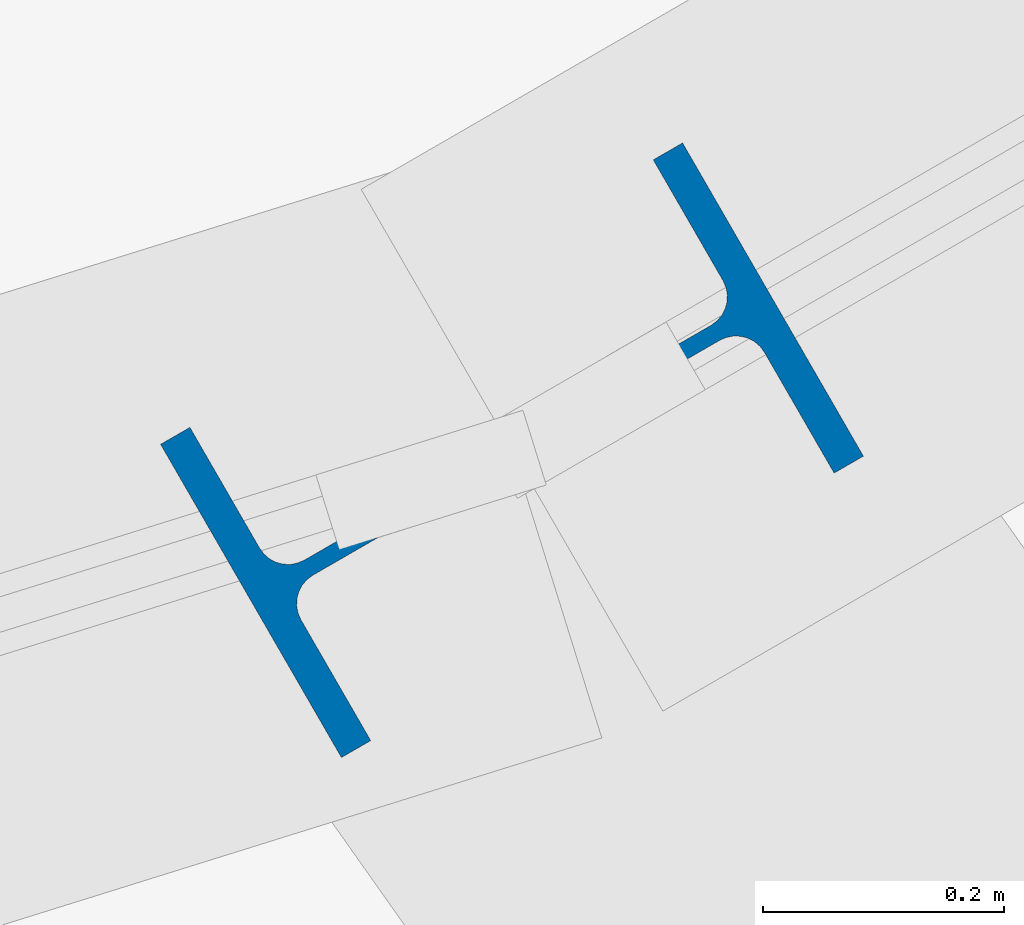
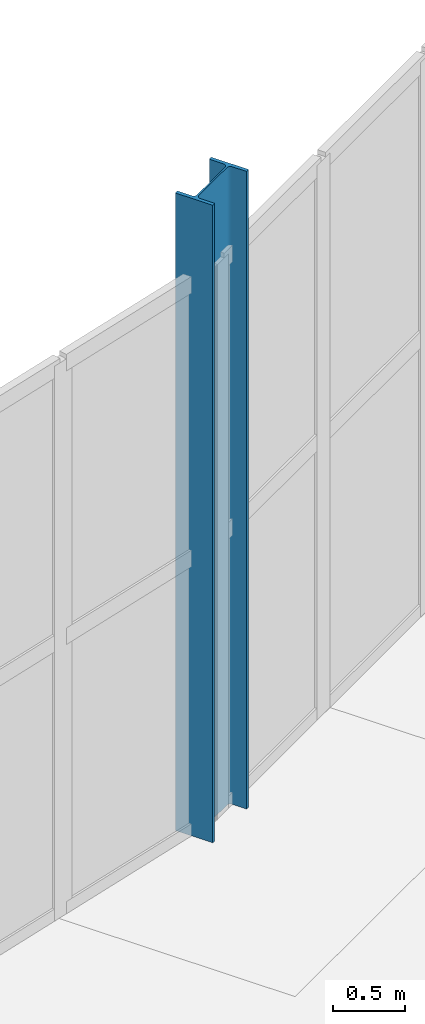
# One storey, part 28 of 118: 1 column.
"""IFC4 building model written with IfcOpenShell, lengths in metres."""

from ifc_helpers import new_model, si_unit, direction, frame, origin, origin_2d, place, context, subcontext, project, spatial, i_section, extrude, material, material_profile, profile_set, type_object, element, save


model = new_model("IFC4")

# Units and contexts
model_context = context("Model", 3, precision=1e-05, world=origin(), true_north=direction((0.0, 1.0)))
body_context = subcontext(model_context, "Body", "Model", "MODEL_VIEW")
ifc_project = project(units=[si_unit("LENGTHUNIT", "METRE"), si_unit("AREAUNIT", "SQUARE_METRE"), si_unit("VOLUMEUNIT", "CUBIC_METRE"), si_unit("PLANEANGLEUNIT", "RADIAN"), si_unit("MASSUNIT", "GRAM", prefix="KILO")], contexts=[model_context])

# Site, building, storey
site_placement = place(None, origin())
site = spatial("IfcSite", under=ifc_project, at=site_placement, CompositionType="ELEMENT")
building_placement = place(site_placement, origin())
building = spatial("IfcBuilding", under=site, at=building_placement, Name="Kildeholm Park Wholesale Market", CompositionType="ELEMENT")
storey_placement = place(building_placement, origin())
storey = spatial("IfcBuildingStorey", under=building, at=storey_placement, Name="L00", CompositionType="ELEMENT", Elevation=0.0)

# Column
ifc_material = material(Name="Steel S355", Category="steel")
ifc_material_profile = material_profile(ifc_material, i_section(OverallWidth=0.300048828125, OverallDepth=0.5, WebThickness=0.014404296875, FlangeThickness=0.028076171875, FilletRadius=0.027099609375, at=origin_2d()), Name="HEB 500")
ifc_profile_set = profile_set([ifc_material_profile], Name="Steel S355")
column_type = type_object("IfcColumnType", Name="Column C-S07 HEB 500", PredefinedType="COLUMN", material=ifc_profile_set)
column_placement = place(storey_placement, frame((117.25, 65.68408203125, 0.0), z_axis=(0.0, 0.0, 1.0), x_axis=(0.5, -0.866025403784, 0.0)))
element("IfcColumn", 1, at=column_placement, inside=storey, type_object=column_type, Name="Column V1-IN-20 L00 COL-0181", PredefinedType="COLUMN", context=body_context, shape_type="SweptSolid", body=[
    extrude(i_section(OverallWidth=0.300048828125, OverallDepth=0.5, WebThickness=0.014404296875, FlangeThickness=0.028076171875, FilletRadius=0.027099609375, at=origin_2d()), origin(), (0.0, 0.0, 1.0), 5.39990234375),
])

save(model, "model.ifc")
